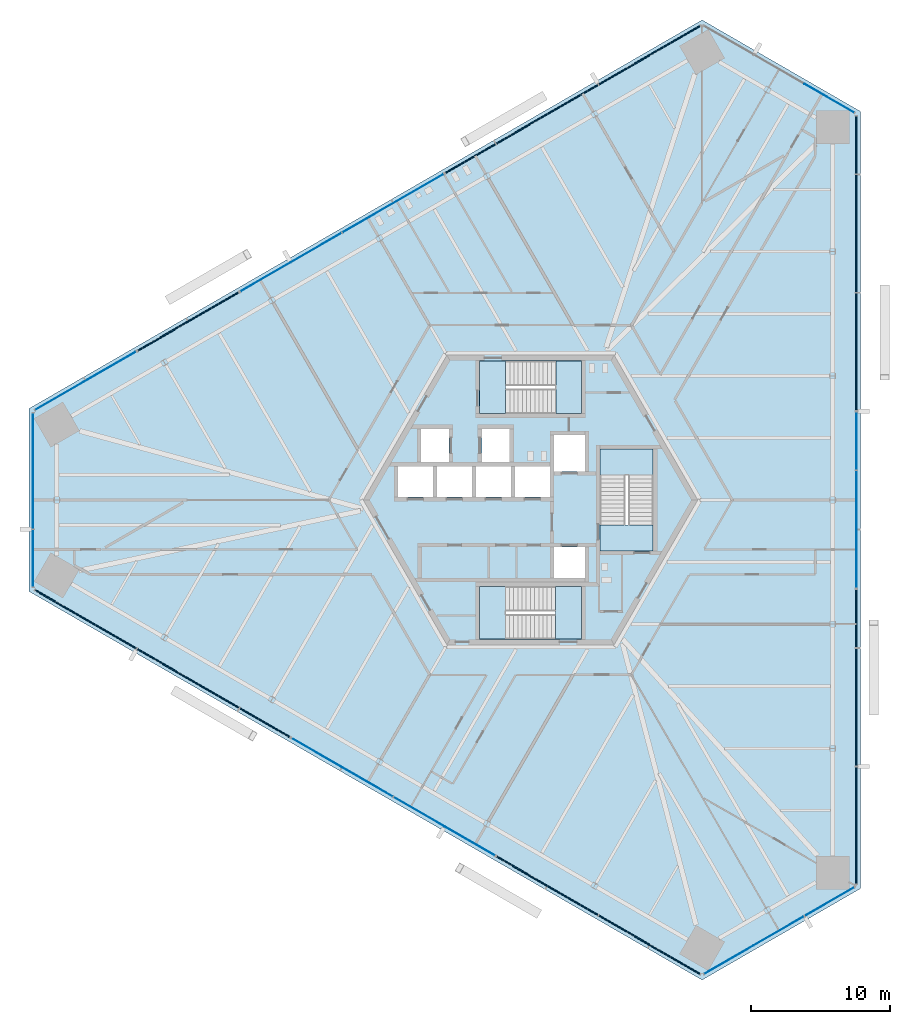
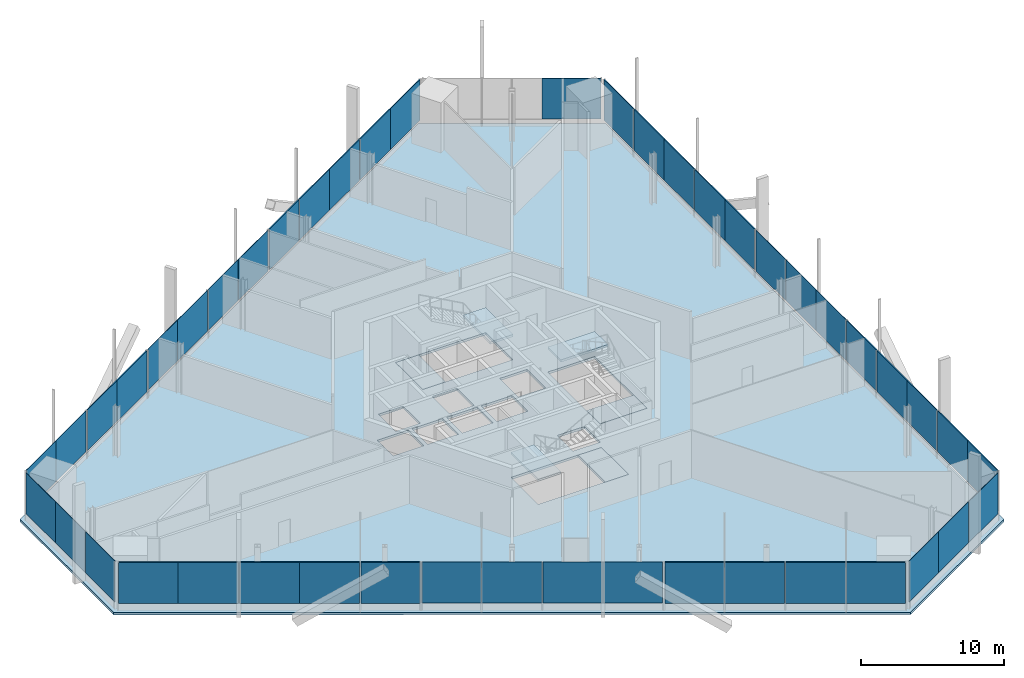
# One storey, part 9 of 19: 46 plates, 7 slabs, 16 elements without a shape of their own.
"""IFC4 building model written with IfcOpenShell, lengths in metres."""

from ifc_helpers import new_model, si_unit, direction, frame, origin, origin_2d, place, context, subcontext, project, spatial, polyline, rectangle, outline, extrude, source, transform, mapped, material, layer, layer_set, type_object, element, aggregate, save


model = new_model("IFC4")

# Units and contexts
model_context = context("Model", 3, precision=1e-05, world=origin(), true_north=direction((0.0, 1.0)))
body_context = subcontext(model_context, "Body", "Model", "MODEL_VIEW")
ifc_project = project(units=[si_unit("LENGTHUNIT", "METRE"), si_unit("AREAUNIT", "SQUARE_METRE"), si_unit("VOLUMEUNIT", "CUBIC_METRE"), si_unit("PLANEANGLEUNIT", "RADIAN"), si_unit("MASSUNIT", "GRAM", prefix="KILO")], contexts=[model_context])

# Site, building, storey
site_placement = place(None, origin())
site = spatial("IfcSite", under=ifc_project, at=site_placement, CompositionType="ELEMENT")
building_placement = place(site_placement, origin())
building = spatial("IfcBuilding", under=site, at=building_placement, Name="Triune Harvest Tower", CompositionType="ELEMENT")
storey_placement = place(building_placement, frame((0.0, 0.0, 24.60009765625)))
storey = spatial("IfcBuildingStorey", under=building, at=storey_placement, Name="L05", CompositionType="ELEMENT", Elevation=24.60009765625)

# Slab
ifc_material_1 = material(Name="Concrete 40 MPa", Category="concrete")
ifc_layer_1 = layer(ifc_material_1, 0.199951171875)
ifc_layer_set_1 = layer_set([ifc_layer_1], Name="Concrete 40 MPa")
slab_type_1 = type_object("IfcSlabType", Name="SL-3 Composite floor slab 200", PredefinedType="FLOOR", material=ifc_layer_set_1)
shared_shape_1 = source(origin(), body_context, "Body", "SweptSolid", [
    extrude(outline(polyline([(23.67138671875, -27.8798828125), (23.67138671875, 27.8798828125), (12.30908203125, 34.43994140625), (-35.98046875, 6.56005859375), (-35.98046875, -6.56005859375), (12.30908203125, -34.43994140625), (23.67138671875, -27.8798828125)]), holes=[polyline([(-7.0, 0.2099609375), (-7.0, 2.409912109375), (-9.5, 2.409912109375), (-9.5, 0.2099609375), (-7.0, 0.2099609375)]), polyline([(-4.199951171875, 0.2099609375), (-4.199951171875, 2.409912109375), (-6.699951171875, 2.409912109375), (-6.699951171875, 0.2099609375), (-4.199951171875, 0.2099609375)]), polyline([(-1.39990234375, 0.2099609375), (-1.39990234375, 2.409912109375), (-3.89990234375, 2.409912109375), (-3.89990234375, 0.2099609375), (-1.39990234375, 0.2099609375)]), polyline([(1.39990234375, 0.2099609375), (1.39990234375, 2.409912109375), (-1.10009765625, 2.409912109375), (-1.10009765625, 0.2099609375), (1.39990234375, 0.2099609375)]), polyline([(3.89990234375, 2.06005859375), (3.89990234375, 4.659912109375), (1.699951171875, 4.659912109375), (1.699951171875, 2.06005859375), (3.89990234375, 2.06005859375)]), polyline([(3.89990234375, -5.590087890625), (3.89990234375, -3.389892578125), (1.699951171875, -3.389892578125), (1.699951171875, -5.590087890625), (3.89990234375, -5.590087890625)]), polyline([(-5.85009765625, 2.7099609375), (-5.85009765625, 5.110107421875), (-7.85009765625, 5.110107421875), (-7.85009765625, 2.7099609375), (-5.85009765625, 2.7099609375)]), polyline([(-1.5, 2.7099609375), (-1.5, 5.110107421875), (-3.5, 5.110107421875), (-3.5, 2.7099609375), (-1.5, 2.7099609375)]), polyline([(3.64990234375, 6.18994140625), (3.64990234375, 9.989990234375), (-3.64990234375, 9.989990234375), (-3.64990234375, 6.18994140625), (3.64990234375, 6.18994140625)]), polyline([(3.64990234375, -9.989990234375), (3.64990234375, -6.18994140625), (-3.64990234375, -6.18994140625), (-3.64990234375, -9.989990234375), (3.64990234375, -9.989990234375)]), polyline([(8.800048828125, -3.64990234375), (8.800048828125, 3.64990234375), (5.0, 3.64990234375), (5.0, -3.64990234375), (8.800048828125, -3.64990234375)])]), origin(), (0.0, 0.0, 1.0), 0.2001953125),
])
slab_1_placement = place(storey_placement, frame((0.0, 0.0, -0.2001953125)))
element("IfcSlab", 1, at=slab_1_placement, inside=storey, type_object=slab_type_1, Name="slab/L05/1", PredefinedType="FLOOR", context=body_context, shape_type="MappedRepresentation", body=[
    mapped(shared_shape_1, transform((0.0, 0.0, 0.0), scale=1.0)),
])

# Stair, slabs
ifc_material_2 = material(Name="Concrete 40 MPa", Category="concrete")
stair_type = type_object("IfcStairType", Name="Exit stair 1800 half turn", PredefinedType="HALF_TURN_STAIR", material=ifc_material_2)
stair_1_placement = place(storey_placement, origin())
stair_1 = element("IfcStair", 2, at=stair_1_placement, inside=storey, type_object=stair_type, Name="Exit stair north", PredefinedType="HALF_TURN_STAIR")
ifc_material_3 = material(Name="Concrete 40 MPa", Category="concrete")
ifc_layer_2 = layer(ifc_material_3, 0.199951171875)
ifc_layer_set_2 = layer_set([ifc_layer_2], Name="Concrete 40 MPa")
slab_type_2 = type_object("IfcSlabType", Name="Stair landing 200", PredefinedType="LANDING", material=ifc_layer_set_2)
shared_shape_2 = source(origin(), body_context, "Body", "SweptSolid", [
    extrude(outline(polyline([(1.81005859375, 6.18994140625), (3.64990234375, 6.18994140625), (3.64990234375, 9.989990234375), (1.81005859375, 9.989990234375), (1.81005859375, 6.18994140625)])), origin(), (0.0, 0.0, 1.0), 0.199951171875),
])
slab_2_placement = place(storey_placement, frame((0.0, 0.0, 1.949951171875)))
slab_2 = element("IfcSlab", 3, at=slab_2_placement, type_object=slab_type_2, Name="ST-1 landing 2", PredefinedType="LANDING", context=body_context, shape_type="MappedRepresentation", body=[
    mapped(shared_shape_2, transform((0.0, 0.0, 0.0), scale=1.0)),
])
shared_shape_3 = source(origin(), body_context, "Body", "SweptSolid", [
    extrude(outline(polyline([(-3.64990234375, 6.18994140625), (-1.780029296875, 6.18994140625), (-1.780029296875, 9.989990234375), (-3.64990234375, 9.989990234375), (-3.64990234375, 6.18994140625)])), origin(), (0.0, 0.0, 1.0), 0.2001953125),
])
slab_3_placement = place(storey_placement, frame((0.0, 0.0, -0.2001953125)))
slab_3 = element("IfcSlab", 4, at=slab_3_placement, type_object=slab_type_2, Name="ST-1 landing 1", PredefinedType="LANDING", context=body_context, shape_type="MappedRepresentation", body=[
    mapped(shared_shape_3, transform((0.0, 0.0, 0.0), scale=1.0)),
])
aggregate(stair_1, [slab_3, slab_2])

stair_2_placement = place(storey_placement, origin())
stair_2 = element("IfcStair", 5, at=stair_2_placement, inside=storey, type_object=stair_type, Name="Exit stair south", PredefinedType="HALF_TURN_STAIR")
shared_shape_4 = source(origin(), body_context, "Body", "SweptSolid", [
    extrude(outline(polyline([(-1.81005859375, -6.18994140625), (-3.64990234375, -6.18994140625), (-3.64990234375, -9.989990234375), (-1.81005859375, -9.989990234375), (-1.81005859375, -6.18994140625)])), origin(), (0.0, 0.0, 1.0), 0.199951171875),
])
slab_4_placement = place(storey_placement, frame((0.0, 0.0, 1.949951171875)))
slab_4 = element("IfcSlab", 6, at=slab_4_placement, type_object=slab_type_2, Name="ST-2 landing 2", PredefinedType="LANDING", context=body_context, shape_type="MappedRepresentation", body=[
    mapped(shared_shape_4, transform((0.0, 0.0, 0.0), scale=1.0)),
])
shared_shape_5 = source(origin(), body_context, "Body", "SweptSolid", [
    extrude(outline(polyline([(3.64990234375, -6.18994140625), (1.780029296875, -6.18994140625), (1.780029296875, -9.989990234375), (3.64990234375, -9.989990234375), (3.64990234375, -6.18994140625)])), origin(), (0.0, 0.0, 1.0), 0.2001953125),
])
slab_5_placement = place(storey_placement, frame((0.0, 0.0, -0.2001953125)))
slab_5 = element("IfcSlab", 7, at=slab_5_placement, type_object=slab_type_2, Name="ST-2 landing 1", PredefinedType="LANDING", context=body_context, shape_type="MappedRepresentation", body=[
    mapped(shared_shape_5, transform((0.0, 0.0, 0.0), scale=1.0)),
])
aggregate(stair_2, [slab_5, slab_4])

stair_3_placement = place(storey_placement, origin())
stair_3 = element("IfcStair", 8, at=stair_3_placement, inside=storey, type_object=stair_type, Name="Exit stair east", PredefinedType="HALF_TURN_STAIR")
shared_shape_6 = source(origin(), body_context, "Body", "SweptSolid", [
    extrude(outline(polyline([(8.800048828125, 1.81005859375), (8.800048828125, 3.64990234375), (5.0, 3.64990234375), (5.0, 1.81005859375), (8.800048828125, 1.81005859375)])), origin(), (0.0, 0.0, 1.0), 0.199951171875),
])
slab_6_placement = place(storey_placement, frame((0.0, 0.0, 1.949951171875)))
slab_6 = element("IfcSlab", 9, at=slab_6_placement, type_object=slab_type_2, Name="ST-3 landing 2", PredefinedType="LANDING", context=body_context, shape_type="MappedRepresentation", body=[
    mapped(shared_shape_6, transform((0.0, 0.0, 0.0), scale=1.0)),
])
shared_shape_7 = source(origin(), body_context, "Body", "SweptSolid", [
    extrude(outline(polyline([(8.800048828125, -3.64990234375), (8.800048828125, -1.780029296875), (5.0, -1.780029296875), (5.0, -3.64990234375), (8.800048828125, -3.64990234375)])), origin(), (0.0, 0.0, 1.0), 0.2001953125),
])
slab_7_placement = place(storey_placement, frame((0.0, 0.0, -0.2001953125)))
slab_7 = element("IfcSlab", 10, at=slab_7_placement, type_object=slab_type_2, Name="ST-3 landing 1", PredefinedType="LANDING", context=body_context, shape_type="MappedRepresentation", body=[
    mapped(shared_shape_7, transform((0.0, 0.0, 0.0), scale=1.0)),
])
aggregate(stair_3, [slab_7, slab_6])

# Curtain wall, plate
ifc_material_4 = material(Name="Aluminium bronze anodised", Category="aluminium")
curtain_wall_type_1 = type_object("IfcCurtainWallType", Name="CW-3 Farm floor curtain wall", PredefinedType="NOTDEFINED", material=ifc_material_4)
curtain_wall_1_placement = place(storey_placement, origin())
curtain_wall_1 = element("IfcCurtainWall", 11, at=curtain_wall_1_placement, inside=storey, type_object=curtain_wall_type_1, Name="CW-3 B1-F2 L05 run 1")
ifc_material_5 = material(Name="Glass", Category="glass")
ifc_layer_3 = layer(ifc_material_5, 0.035888671875)
ifc_layer_set_3 = layer_set([ifc_layer_3], Name="Glass")
plate_type_1 = type_object("IfcPlateType", Name="GL-3 panel 36", PredefinedType="CURTAIN_PANEL", material=ifc_layer_set_3)
shared_shape_8 = source(origin(), body_context, "Body", "SweptSolid", [
    extrude(rectangle(XDim=4.117919921875, YDim=0.035888671875, at=origin_2d()), origin(), (0.0, 0.0, 1.0), 3.5),
])
plate_1_placement = place(storey_placement, frame((21.441162109375, 28.8212890625, 0.599853515625), z_axis=(0.0, 0.0, 1.0), x_axis=(-0.866026145592, 0.499998715149, 0.0)))
plate_1 = element("IfcPlate", 12, at=plate_1_placement, type_object=plate_type_1, Name="CW-3 panel B1-F2 1.1", PredefinedType="CURTAIN_PANEL", context=body_context, shape_type="MappedRepresentation", body=[
    mapped(shared_shape_8, transform((0.0, 0.0, 0.0), scale=1.0)),
])
aggregate(curtain_wall_1, [plate_1])

curtain_wall_2_placement = place(storey_placement, origin())
curtain_wall_2 = element("IfcCurtainWall", 13, at=curtain_wall_2_placement, inside=storey, type_object=curtain_wall_type_1, Name="CW-3 B1-F4 L05 run 1")
plate_2_placement = place(storey_placement, frame((-35.680419921875, 4.157958984375, 0.599853515625), z_axis=(0.0, 0.0, 1.0), x_axis=(0.0, -1.0, 0.0)))
plate_2 = element("IfcPlate", 14, at=plate_2_placement, type_object=plate_type_1, Name="CW-3 panel B1-F4 1.1", PredefinedType="CURTAIN_PANEL", context=body_context, shape_type="MappedRepresentation", body=[
    mapped(shared_shape_8, transform((0.0, 0.0, 0.0), scale=1.0)),
])

curtain_wall_3_placement = place(storey_placement, origin())
curtain_wall_3 = element("IfcCurtainWall", 15, at=curtain_wall_3_placement, inside=storey, type_object=curtain_wall_type_1, Name="CW-3 B1-F6 L05 run 1")
plate_3_placement = place(storey_placement, frame((14.239501953125, -32.979248046875, 0.599853515625), z_axis=(0.0, 0.0, 1.0), x_axis=(0.866026145592, 0.499998715149, 0.0)))
plate_3 = element("IfcPlate", 16, at=plate_3_placement, type_object=plate_type_1, Name="CW-3 panel B1-F6 1.1", PredefinedType="CURTAIN_PANEL", context=body_context, shape_type="MappedRepresentation", body=[
    mapped(shared_shape_8, transform((0.0, 0.0, 0.0), scale=1.0)),
])

# Plate
shared_shape_9 = source(origin(), body_context, "Body", "SweptSolid", [
    extrude(rectangle(XDim=4.157958984375, YDim=0.035888671875, at=origin_2d()), origin(), (0.0, 0.0, 1.0), 3.5),
])
plate_4_placement = place(storey_placement, frame((-35.680419921875, 0.02001953125, 0.599853515625), z_axis=(0.0, 0.0, 1.0), x_axis=(0.0, -1.0, 0.0)))
plate_4 = element("IfcPlate", 17, at=plate_4_placement, type_object=plate_type_1, Name="CW-3 panel B1-F4 1.2", PredefinedType="CURTAIN_PANEL", context=body_context, shape_type="MappedRepresentation", body=[
    mapped(shared_shape_9, transform((0.0, 0.0, 0.0), scale=1.0)),
])

plate_5_placement = place(storey_placement, frame((17.822998046875, -30.91015625, 0.599853515625), z_axis=(0.0, 0.0, 1.0), x_axis=(0.866026145592, 0.499998715149, 0.0)))
plate_5 = element("IfcPlate", 18, at=plate_5_placement, type_object=plate_type_1, Name="CW-3 panel B1-F6 1.2", PredefinedType="CURTAIN_PANEL", context=body_context, shape_type="MappedRepresentation", body=[
    mapped(shared_shape_9, transform((0.0, 0.0, 0.0), scale=1.0)),
])

shared_shape_10 = source(origin(), body_context, "Body", "SweptSolid", [
    extrude(rectangle(XDim=4.077880859375, YDim=0.035888671875, at=origin_2d()), origin(), (0.0, 0.0, 1.0), 3.5),
])
plate_6_placement = place(storey_placement, frame((-35.680419921875, -4.177978515625, 0.599853515625), z_axis=(0.0, 0.0, 1.0), x_axis=(0.0, -1.0, 0.0)))
plate_6 = element("IfcPlate", 19, at=plate_6_placement, type_object=plate_type_1, Name="CW-3 panel B1-F4 1.3", PredefinedType="CURTAIN_PANEL", context=body_context, shape_type="MappedRepresentation", body=[
    mapped(shared_shape_10, transform((0.0, 0.0, 0.0), scale=1.0)),
])

aggregate(curtain_wall_2, [plate_2, plate_4, plate_6])

plate_7_placement = place(storey_placement, frame((21.45849609375, -28.811279296875, 0.599853515625), z_axis=(0.0, 0.0, 1.0), x_axis=(0.866026145592, 0.499998715149, 0.0)))
plate_7 = element("IfcPlate", 20, at=plate_7_placement, type_object=plate_type_1, Name="CW-3 panel B1-F6 1.3", PredefinedType="CURTAIN_PANEL", context=body_context, shape_type="MappedRepresentation", body=[
    mapped(shared_shape_10, transform((0.0, 0.0, 0.0), scale=1.0)),
])

aggregate(curtain_wall_3, [plate_3, plate_5, plate_7])

# Curtain wall, plate
ifc_material_6 = material(Name="Aluminium bronze anodised", Category="aluminium")
curtain_wall_type_2 = type_object("IfcCurtainWallType", Name="CW-8 Farm floor curtain wall with insulated spandrel infill", PredefinedType="NOTDEFINED", material=ifc_material_6)
curtain_wall_4_placement = place(storey_placement, origin())
curtain_wall_4 = element("IfcCurtainWall", 21, at=curtain_wall_4_placement, inside=storey, type_object=curtain_wall_type_2, Name="CW-8 B1-F1 L05 run 1")
ifc_material_7 = material(Name="Insulated spandrel panel, bronze aluminium pan", Category="aluminium")
ifc_layer_4 = layer(ifc_material_7, 0.080078125)
ifc_layer_set_4 = layer_set([ifc_layer_4], Name="Insulated spandrel panel, bronze aluminium pan")
plate_type_2 = type_object("IfcPlateType", Name="SP-1 insulated spandrel panel 80", PredefinedType="CURTAIN_PANEL", material=ifc_layer_set_4)
shared_shape_11 = source(origin(), body_context, "Body", "SweptSolid", [
    extrude(rectangle(XDim=4.168701171875, YDim=0.080078125, at=origin_2d()), origin(), (0.0, 0.0, 1.0), 3.5),
])
plate_8_placement = place(storey_placement, frame((23.371337890625, -25.452392578125, 0.599853515625), z_axis=(0.0, 0.0, 1.0), x_axis=(0.0, 1.0, 0.0)))
plate_8 = element("IfcPlate", 22, at=plate_8_placement, type_object=plate_type_2, Name="CW-8 panel B1-F1 1.1", PredefinedType="CURTAIN_PANEL", context=body_context, shape_type="MappedRepresentation", body=[
    mapped(shared_shape_11, transform((0.0, 0.0, 0.0), scale=1.0)),
])

curtain_wall_5_placement = place(storey_placement, origin())
curtain_wall_5 = element("IfcCurtainWall", 23, at=curtain_wall_5_placement, inside=storey, type_object=curtain_wall_type_2, Name="CW-8 B1-F1 L05 run 2001")
plate_9_placement = place(storey_placement, frame((23.371337890625, 8.537353515625, 0.599853515625), z_axis=(0.0, 0.0, 1.0), x_axis=(0.0, 1.0, 0.0)))
plate_9 = element("IfcPlate", 24, at=plate_9_placement, type_object=plate_type_2, Name="CW-8 panel B1-F1 2001.1", PredefinedType="CURTAIN_PANEL", context=body_context, shape_type="MappedRepresentation", body=[
    mapped(shared_shape_11, transform((0.0, 0.0, 0.0), scale=1.0)),
])

curtain_wall_6_placement = place(storey_placement, origin())
curtain_wall_6 = element("IfcCurtainWall", 25, at=curtain_wall_6_placement, inside=storey, type_object=curtain_wall_type_2, Name="CW-8 B1-F3 L05 run 1")
plate_10_placement = place(storey_placement, frame((10.356689453125, 32.96630859375, 0.599853515625), z_axis=(0.0, 0.0, 1.0), x_axis=(-0.866026114839, -0.499998768415, 0.0)))
plate_10 = element("IfcPlate", 26, at=plate_10_placement, type_object=plate_type_2, Name="CW-8 panel B1-F3 1.1", PredefinedType="CURTAIN_PANEL", context=body_context, shape_type="MappedRepresentation", body=[
    mapped(shared_shape_11, transform((0.0, 0.0, 0.0), scale=1.0)),
])

# Curtain wall, plates
curtain_wall_7_placement = place(storey_placement, origin())
curtain_wall_7 = element("IfcCurtainWall", 27, at=curtain_wall_7_placement, inside=storey, type_object=curtain_wall_type_2, Name="CW-8 B1-F3 L05 run 2001")
plate_11_placement = place(storey_placement, frame((-22.7587890625, 13.84716796875, 0.599853515625), z_axis=(0.0, 0.0, 1.0), x_axis=(-0.866021359287, -0.500007005209, 0.0)))
plate_11 = element("IfcPlate", 28, at=plate_11_placement, type_object=plate_type_2, Name="CW-8 panel B1-F3 2001.1", PredefinedType="CURTAIN_PANEL", context=body_context, shape_type="MappedRepresentation", body=[
    mapped(shared_shape_11, transform((0.0, 0.0, 0.0), scale=1.0)),
])
plate_12_placement = place(storey_placement, frame((-26.369140625, 11.7626953125, 0.599853515625), z_axis=(0.0, 0.0, 1.0), x_axis=(-0.866021359287, -0.500007005209, 0.0)))
plate_12 = element("IfcPlate", 29, at=plate_12_placement, type_object=plate_type_2, Name="CW-8 panel B1-F3 2001.2", PredefinedType="CURTAIN_PANEL", context=body_context, shape_type="MappedRepresentation", body=[
    mapped(shared_shape_11, transform((0.0, 0.0, 0.0), scale=1.0)),
])
aggregate(curtain_wall_7, [plate_11, plate_12])

# Curtain wall, plate
curtain_wall_8_placement = place(storey_placement, origin())
curtain_wall_8 = element("IfcCurtainWall", 30, at=curtain_wall_8_placement, inside=storey, type_object=curtain_wall_type_2, Name="CW-8 B1-F5 L05 run 1")
plate_13_placement = place(storey_placement, frame((-33.728271484375, -7.513916015625, 0.599853515625), z_axis=(0.0, 0.0, 1.0), x_axis=(0.866026114839, -0.499998768415, 0.0)))
plate_13 = element("IfcPlate", 31, at=plate_13_placement, type_object=plate_type_2, Name="CW-8 panel B1-F5 1.1", PredefinedType="CURTAIN_PANEL", context=body_context, shape_type="MappedRepresentation", body=[
    mapped(shared_shape_11, transform((0.0, 0.0, 0.0), scale=1.0)),
])

# Curtain wall, plates
curtain_wall_9_placement = place(storey_placement, origin())
curtain_wall_9 = element("IfcCurtainWall", 32, at=curtain_wall_9_placement, inside=storey, type_object=curtain_wall_type_2, Name="CW-8 B1-F5 L05 run 2001")
plate_14_placement = place(storey_placement, frame((-0.612548828125, -26.63330078125, 0.599853515625), z_axis=(0.0, 0.0, 1.0), x_axis=(0.86602475583, -0.500001122288, 0.0)))
plate_14 = element("IfcPlate", 33, at=plate_14_placement, type_object=plate_type_2, Name="CW-8 panel B1-F5 2001.1", PredefinedType="CURTAIN_PANEL", context=body_context, shape_type="MappedRepresentation", body=[
    mapped(shared_shape_11, transform((0.0, 0.0, 0.0), scale=1.0)),
])
plate_15_placement = place(storey_placement, frame((10.356689453125, -32.96630859375, 0.599853515625), z_axis=(0.0, 0.0, 1.0), x_axis=(0.86602475583, -0.500001122288, 0.0)))
plate_15 = element("IfcPlate", 34, at=plate_15_placement, type_object=plate_type_2, Name="CW-8 panel B1-F5 2001.4", PredefinedType="CURTAIN_PANEL", context=body_context, shape_type="MappedRepresentation", body=[
    mapped(shared_shape_11, transform((0.0, 0.0, 0.0), scale=1.0)),
])

# Plate
shared_shape_12 = source(origin(), body_context, "Body", "SweptSolid", [
    extrude(rectangle(XDim=4.208740234375, YDim=0.080078125, at=origin_2d()), origin(), (0.0, 0.0, 1.0), 3.5),
])
plate_16_placement = place(storey_placement, frame((23.371337890625, -21.263671875, 0.599853515625), z_axis=(0.0, 0.0, 1.0), x_axis=(0.0, 1.0, 0.0)))
plate_16 = element("IfcPlate", 35, at=plate_16_placement, type_object=plate_type_2, Name="CW-8 panel B1-F1 1.2", PredefinedType="CURTAIN_PANEL", context=body_context, shape_type="MappedRepresentation", body=[
    mapped(shared_shape_12, transform((0.0, 0.0, 0.0), scale=1.0)),
])

plate_17_placement = place(storey_placement, frame((23.371337890625, -16.974853515625, 0.599853515625), z_axis=(0.0, 0.0, 1.0), x_axis=(0.0, 1.0, 0.0)))
plate_17 = element("IfcPlate", 36, at=plate_17_placement, type_object=plate_type_2, Name="CW-8 panel B1-F1 1.3", PredefinedType="CURTAIN_PANEL", context=body_context, shape_type="MappedRepresentation", body=[
    mapped(shared_shape_12, transform((0.0, 0.0, 0.0), scale=1.0)),
])

plate_18_placement = place(storey_placement, frame((23.371337890625, -12.76611328125, 0.599853515625), z_axis=(0.0, 0.0, 1.0), x_axis=(0.0, 1.0, 0.0)))
plate_18 = element("IfcPlate", 37, at=plate_18_placement, type_object=plate_type_2, Name="CW-8 panel B1-F1 1.4", PredefinedType="CURTAIN_PANEL", context=body_context, shape_type="MappedRepresentation", body=[
    mapped(shared_shape_12, transform((0.0, 0.0, 0.0), scale=1.0)),
])

plate_19_placement = place(storey_placement, frame((23.371337890625, 12.726318359375, 0.599853515625), z_axis=(0.0, 0.0, 1.0), x_axis=(0.0, 1.0, 0.0)))
plate_19 = element("IfcPlate", 38, at=plate_19_placement, type_object=plate_type_2, Name="CW-8 panel B1-F1 2001.2", PredefinedType="CURTAIN_PANEL", context=body_context, shape_type="MappedRepresentation", body=[
    mapped(shared_shape_12, transform((0.0, 0.0, 0.0), scale=1.0)),
])

plate_20_placement = place(storey_placement, frame((23.371337890625, 17.014892578125, 0.599853515625), z_axis=(0.0, 0.0, 1.0), x_axis=(0.0, 1.0, 0.0)))
plate_20 = element("IfcPlate", 39, at=plate_20_placement, type_object=plate_type_2, Name="CW-8 panel B1-F1 2001.3", PredefinedType="CURTAIN_PANEL", context=body_context, shape_type="MappedRepresentation", body=[
    mapped(shared_shape_12, transform((0.0, 0.0, 0.0), scale=1.0)),
])

plate_21_placement = place(storey_placement, frame((23.371337890625, 21.2236328125, 0.599853515625), z_axis=(0.0, 0.0, 1.0), x_axis=(0.0, 1.0, 0.0)))
plate_21 = element("IfcPlate", 40, at=plate_21_placement, type_object=plate_type_2, Name="CW-8 panel B1-F1 2001.4", PredefinedType="CURTAIN_PANEL", context=body_context, shape_type="MappedRepresentation", body=[
    mapped(shared_shape_12, transform((0.0, 0.0, 0.0), scale=1.0)),
])

plate_22_placement = place(storey_placement, frame((6.729248046875, 30.8720703125, 0.599853515625), z_axis=(0.0, 0.0, 1.0), x_axis=(-0.866026114839, -0.499998768415, 0.0)))
plate_22 = element("IfcPlate", 41, at=plate_22_placement, type_object=plate_type_2, Name="CW-8 panel B1-F3 1.2", PredefinedType="CURTAIN_PANEL", context=body_context, shape_type="MappedRepresentation", body=[
    mapped(shared_shape_12, transform((0.0, 0.0, 0.0), scale=1.0)),
])

plate_23_placement = place(storey_placement, frame((3.01513671875, 28.727783203125, 0.599853515625), z_axis=(0.0, 0.0, 1.0), x_axis=(-0.866026114839, -0.499998768415, 0.0)))
plate_23 = element("IfcPlate", 42, at=plate_23_placement, type_object=plate_type_2, Name="CW-8 panel B1-F3 1.3", PredefinedType="CURTAIN_PANEL", context=body_context, shape_type="MappedRepresentation", body=[
    mapped(shared_shape_12, transform((0.0, 0.0, 0.0), scale=1.0)),
])

plate_24_placement = place(storey_placement, frame((-0.6298828125, 26.623291015625, 0.599853515625), z_axis=(0.0, 0.0, 1.0), x_axis=(-0.866026114839, -0.499998768415, 0.0)))
plate_24 = element("IfcPlate", 43, at=plate_24_placement, type_object=plate_type_2, Name="CW-8 panel B1-F3 1.4", PredefinedType="CURTAIN_PANEL", context=body_context, shape_type="MappedRepresentation", body=[
    mapped(shared_shape_12, transform((0.0, 0.0, 0.0), scale=1.0)),
])

plate_25_placement = place(storey_placement, frame((-30.1005859375, -9.6083984375, 0.599853515625), z_axis=(0.0, 0.0, 1.0), x_axis=(0.866026114839, -0.499998768415, 0.0)))
plate_25 = element("IfcPlate", 44, at=plate_25_placement, type_object=plate_type_2, Name="CW-8 panel B1-F5 1.2", PredefinedType="CURTAIN_PANEL", context=body_context, shape_type="MappedRepresentation", body=[
    mapped(shared_shape_12, transform((0.0, 0.0, 0.0), scale=1.0)),
])

plate_26_placement = place(storey_placement, frame((-26.386474609375, -11.752685546875, 0.599853515625), z_axis=(0.0, 0.0, 1.0), x_axis=(0.866026114839, -0.499998768415, 0.0)))
plate_26 = element("IfcPlate", 45, at=plate_26_placement, type_object=plate_type_2, Name="CW-8 panel B1-F5 1.3", PredefinedType="CURTAIN_PANEL", context=body_context, shape_type="MappedRepresentation", body=[
    mapped(shared_shape_12, transform((0.0, 0.0, 0.0), scale=1.0)),
])

plate_27_placement = place(storey_placement, frame((-22.74169921875, -13.857177734375, 0.599853515625), z_axis=(0.0, 0.0, 1.0), x_axis=(0.866026114839, -0.499998768415, 0.0)))
plate_27 = element("IfcPlate", 46, at=plate_27_placement, type_object=plate_type_2, Name="CW-8 panel B1-F5 1.4", PredefinedType="CURTAIN_PANEL", context=body_context, shape_type="MappedRepresentation", body=[
    mapped(shared_shape_12, transform((0.0, 0.0, 0.0), scale=1.0)),
])

plate_28_placement = place(storey_placement, frame((3.01513671875, -28.727783203125, 0.599853515625), z_axis=(0.0, 0.0, 1.0), x_axis=(0.86602475583, -0.500001122288, 0.0)))
plate_28 = element("IfcPlate", 47, at=plate_28_placement, type_object=plate_type_2, Name="CW-8 panel B1-F5 2001.2", PredefinedType="CURTAIN_PANEL", context=body_context, shape_type="MappedRepresentation", body=[
    mapped(shared_shape_12, transform((0.0, 0.0, 0.0), scale=1.0)),
])

plate_29_placement = place(storey_placement, frame((6.729248046875, -30.8720703125, 0.599853515625), z_axis=(0.0, 0.0, 1.0), x_axis=(0.86602475583, -0.500001122288, 0.0)))
plate_29 = element("IfcPlate", 48, at=plate_29_placement, type_object=plate_type_2, Name="CW-8 panel B1-F5 2001.3", PredefinedType="CURTAIN_PANEL", context=body_context, shape_type="MappedRepresentation", body=[
    mapped(shared_shape_12, transform((0.0, 0.0, 0.0), scale=1.0)),
])

aggregate(curtain_wall_9, [plate_14, plate_28, plate_29, plate_15])

shared_shape_13 = source(origin(), body_context, "Body", "SweptSolid", [
    extrude(rectangle(XDim=4.128662109375, YDim=0.080078125, at=origin_2d()), origin(), (0.0, 0.0, 1.0), 3.5),
])
plate_30_placement = place(storey_placement, frame((23.371337890625, -8.517578125, 0.599853515625), z_axis=(0.0, 0.0, 1.0), x_axis=(0.0, 1.0, 0.0)))
plate_30 = element("IfcPlate", 49, at=plate_30_placement, type_object=plate_type_2, Name="CW-8 panel B1-F1 1.5", PredefinedType="CURTAIN_PANEL", context=body_context, shape_type="MappedRepresentation", body=[
    mapped(shared_shape_13, transform((0.0, 0.0, 0.0), scale=1.0)),
])

aggregate(curtain_wall_4, [plate_8, plate_16, plate_17, plate_18, plate_30])

plate_31_placement = place(storey_placement, frame((23.371337890625, 25.472412109375, 0.599853515625), z_axis=(0.0, 0.0, 1.0), x_axis=(0.0, 1.0, 0.0)))
plate_31 = element("IfcPlate", 50, at=plate_31_placement, type_object=plate_type_2, Name="CW-8 panel B1-F1 2001.5", PredefinedType="CURTAIN_PANEL", context=body_context, shape_type="MappedRepresentation", body=[
    mapped(shared_shape_13, transform((0.0, 0.0, 0.0), scale=1.0)),
])

aggregate(curtain_wall_5, [plate_9, plate_19, plate_20, plate_21, plate_31])

plate_32_placement = place(storey_placement, frame((-4.309326171875, 24.4990234375, 0.599853515625), z_axis=(0.0, 0.0, 1.0), x_axis=(-0.866026114839, -0.499998768415, 0.0)))
plate_32 = element("IfcPlate", 51, at=plate_32_placement, type_object=plate_type_2, Name="CW-8 panel B1-F3 1.5", PredefinedType="CURTAIN_PANEL", context=body_context, shape_type="MappedRepresentation", body=[
    mapped(shared_shape_13, transform((0.0, 0.0, 0.0), scale=1.0)),
])

aggregate(curtain_wall_6, [plate_10, plate_22, plate_23, plate_24, plate_32])

plate_33_placement = place(storey_placement, frame((-19.06201171875, -15.9814453125, 0.599853515625), z_axis=(0.0, 0.0, 1.0), x_axis=(0.866026114839, -0.499998768415, 0.0)))
plate_33 = element("IfcPlate", 52, at=plate_33_placement, type_object=plate_type_2, Name="CW-8 panel B1-F5 1.5", PredefinedType="CURTAIN_PANEL", context=body_context, shape_type="MappedRepresentation", body=[
    mapped(shared_shape_13, transform((0.0, 0.0, 0.0), scale=1.0)),
])

aggregate(curtain_wall_8, [plate_13, plate_25, plate_26, plate_27, plate_33])

# Curtain wall, plate
curtain_wall_10_placement = place(storey_placement, origin())
curtain_wall_10 = element("IfcCurtainWall", 53, at=curtain_wall_10_placement, inside=storey, type_object=curtain_wall_type_1, Name="CW-3 B1-F1 L05 run 1001")
shared_shape_14 = source(origin(), body_context, "Body", "SweptSolid", [
    extrude(rectangle(XDim=4.168701171875, YDim=0.035888671875, at=origin_2d()), origin(), (0.0, 0.0, 1.0), 3.5),
])
plate_34_placement = place(storey_placement, frame((23.371337890625, -4.208740234375, 0.599853515625), z_axis=(0.0, 0.0, 1.0), x_axis=(0.0, 1.0, 0.0)))
plate_34 = element("IfcPlate", 54, at=plate_34_placement, type_object=plate_type_1, Name="CW-3 panel B1-F1 1001.1", PredefinedType="CURTAIN_PANEL", context=body_context, shape_type="MappedRepresentation", body=[
    mapped(shared_shape_14, transform((0.0, 0.0, 0.0), scale=1.0)),
])

# Curtain wall, plates
curtain_wall_11_placement = place(storey_placement, origin())
curtain_wall_11 = element("IfcCurtainWall", 55, at=curtain_wall_11_placement, inside=storey, type_object=curtain_wall_type_1, Name="CW-3 B1-F3 L05 run 1001")
plate_35_placement = place(storey_placement, frame((-8.040771484375, 22.3447265625, 0.599853515625), z_axis=(0.0, 0.0, 1.0), x_axis=(-0.866025378224, -0.500000044272, 0.0)))
plate_35 = element("IfcPlate", 56, at=plate_35_placement, type_object=plate_type_1, Name="CW-3 panel B1-F3 1001.1", PredefinedType="CURTAIN_PANEL", context=body_context, shape_type="MappedRepresentation", body=[
    mapped(shared_shape_14, transform((0.0, 0.0, 0.0), scale=1.0)),
])
plate_36_placement = place(storey_placement, frame((-19.010009765625, 16.011474609375, 0.599853515625), z_axis=(0.0, 0.0, 1.0), x_axis=(-0.866025378224, -0.500000044272, 0.0)))
plate_36 = element("IfcPlate", 57, at=plate_36_placement, type_object=plate_type_1, Name="CW-3 panel B1-F3 1001.4", PredefinedType="CURTAIN_PANEL", context=body_context, shape_type="MappedRepresentation", body=[
    mapped(shared_shape_14, transform((0.0, 0.0, 0.0), scale=1.0)),
])

curtain_wall_12_placement = place(storey_placement, origin())
curtain_wall_12 = element("IfcCurtainWall", 58, at=curtain_wall_12_placement, inside=storey, type_object=curtain_wall_type_1, Name="CW-3 B1-F3 L05 run 3001")
plate_37_placement = place(storey_placement, frame((-30.117919921875, 9.598388671875, 0.599853515625), z_axis=(0.0, 0.0, 1.0), x_axis=(-0.866028152342, -0.499995239328, 0.0)))
plate_37 = element("IfcPlate", 59, at=plate_37_placement, type_object=plate_type_1, Name="CW-3 panel B1-F3 3001.1", PredefinedType="CURTAIN_PANEL", context=body_context, shape_type="MappedRepresentation", body=[
    mapped(shared_shape_14, transform((0.0, 0.0, 0.0), scale=1.0)),
])
plate_38_placement = place(storey_placement, frame((-33.728271484375, 7.513916015625, 0.599853515625), z_axis=(0.0, 0.0, 1.0), x_axis=(-0.866028152342, -0.499995239328, 0.0)))
plate_38 = element("IfcPlate", 60, at=plate_38_placement, type_object=plate_type_1, Name="CW-3 panel B1-F3 3001.2", PredefinedType="CURTAIN_PANEL", context=body_context, shape_type="MappedRepresentation", body=[
    mapped(shared_shape_14, transform((0.0, 0.0, 0.0), scale=1.0)),
])
aggregate(curtain_wall_12, [plate_37, plate_38])

curtain_wall_13_placement = place(storey_placement, origin())
curtain_wall_13 = element("IfcCurtainWall", 61, at=curtain_wall_13_placement, inside=storey, type_object=curtain_wall_type_1, Name="CW-3 B1-F5 L05 run 1001")
plate_39_placement = place(storey_placement, frame((-15.33056640625, -18.1357421875, 0.599853515625), z_axis=(0.0, 0.0, 1.0), x_axis=(0.866025378224, -0.500000044272, 0.0)))
plate_39 = element("IfcPlate", 62, at=plate_39_placement, type_object=plate_type_1, Name="CW-3 panel B1-F5 1001.1", PredefinedType="CURTAIN_PANEL", context=body_context, shape_type="MappedRepresentation", body=[
    mapped(shared_shape_14, transform((0.0, 0.0, 0.0), scale=1.0)),
])
plate_40_placement = place(storey_placement, frame((-4.361328125, -24.468994140625, 0.599853515625), z_axis=(0.0, 0.0, 1.0), x_axis=(0.866025378224, -0.500000044272, 0.0)))
plate_40 = element("IfcPlate", 63, at=plate_40_placement, type_object=plate_type_1, Name="CW-3 panel B1-F5 1001.4", PredefinedType="CURTAIN_PANEL", context=body_context, shape_type="MappedRepresentation", body=[
    mapped(shared_shape_14, transform((0.0, 0.0, 0.0), scale=1.0)),
])

# Plate
shared_shape_15 = source(origin(), body_context, "Body", "SweptSolid", [
    extrude(rectangle(XDim=4.208740234375, YDim=0.035888671875, at=origin_2d()), origin(), (0.0, 0.0, 1.0), 3.5),
])
plate_41_placement = place(storey_placement, frame((23.371337890625, -0.02001953125, 0.599853515625), z_axis=(0.0, 0.0, 1.0), x_axis=(0.0, 1.0, 0.0)))
plate_41 = element("IfcPlate", 64, at=plate_41_placement, type_object=plate_type_1, Name="CW-3 panel B1-F1 1001.2", PredefinedType="CURTAIN_PANEL", context=body_context, shape_type="MappedRepresentation", body=[
    mapped(shared_shape_15, transform((0.0, 0.0, 0.0), scale=1.0)),
])

plate_42_placement = place(storey_placement, frame((-11.66845703125, 20.250244140625, 0.599853515625), z_axis=(0.0, 0.0, 1.0), x_axis=(-0.866025378224, -0.500000044272, 0.0)))
plate_42 = element("IfcPlate", 65, at=plate_42_placement, type_object=plate_type_1, Name="CW-3 panel B1-F3 1001.2", PredefinedType="CURTAIN_PANEL", context=body_context, shape_type="MappedRepresentation", body=[
    mapped(shared_shape_15, transform((0.0, 0.0, 0.0), scale=1.0)),
])

plate_43_placement = place(storey_placement, frame((-15.382568359375, 18.10595703125, 0.599853515625), z_axis=(0.0, 0.0, 1.0), x_axis=(-0.866025378224, -0.500000044272, 0.0)))
plate_43 = element("IfcPlate", 66, at=plate_43_placement, type_object=plate_type_1, Name="CW-3 panel B1-F3 1001.3", PredefinedType="CURTAIN_PANEL", context=body_context, shape_type="MappedRepresentation", body=[
    mapped(shared_shape_15, transform((0.0, 0.0, 0.0), scale=1.0)),
])

aggregate(curtain_wall_11, [plate_35, plate_42, plate_43, plate_36])

plate_44_placement = place(storey_placement, frame((-11.703125, -20.230224609375, 0.599853515625), z_axis=(0.0, 0.0, 1.0), x_axis=(0.866025378224, -0.500000044272, 0.0)))
plate_44 = element("IfcPlate", 67, at=plate_44_placement, type_object=plate_type_1, Name="CW-3 panel B1-F5 1001.2", PredefinedType="CURTAIN_PANEL", context=body_context, shape_type="MappedRepresentation", body=[
    mapped(shared_shape_15, transform((0.0, 0.0, 0.0), scale=1.0)),
])

plate_45_placement = place(storey_placement, frame((-7.98876953125, -22.37451171875, 0.599853515625), z_axis=(0.0, 0.0, 1.0), x_axis=(0.866025378224, -0.500000044272, 0.0)))
plate_45 = element("IfcPlate", 68, at=plate_45_placement, type_object=plate_type_1, Name="CW-3 panel B1-F5 1001.3", PredefinedType="CURTAIN_PANEL", context=body_context, shape_type="MappedRepresentation", body=[
    mapped(shared_shape_15, transform((0.0, 0.0, 0.0), scale=1.0)),
])

aggregate(curtain_wall_13, [plate_39, plate_44, plate_45, plate_40])

shared_shape_16 = source(origin(), body_context, "Body", "SweptSolid", [
    extrude(rectangle(XDim=4.128662109375, YDim=0.035888671875, at=origin_2d()), origin(), (0.0, 0.0, 1.0), 3.5),
])
plate_46_placement = place(storey_placement, frame((23.371337890625, 4.228759765625, 0.599853515625), z_axis=(0.0, 0.0, 1.0), x_axis=(0.0, 1.0, 0.0)))
plate_46 = element("IfcPlate", 69, at=plate_46_placement, type_object=plate_type_1, Name="CW-3 panel B1-F1 1001.3", PredefinedType="CURTAIN_PANEL", context=body_context, shape_type="MappedRepresentation", body=[
    mapped(shared_shape_16, transform((0.0, 0.0, 0.0), scale=1.0)),
])

aggregate(curtain_wall_10, [plate_34, plate_41, plate_46])

save(model, "model.ifc")
